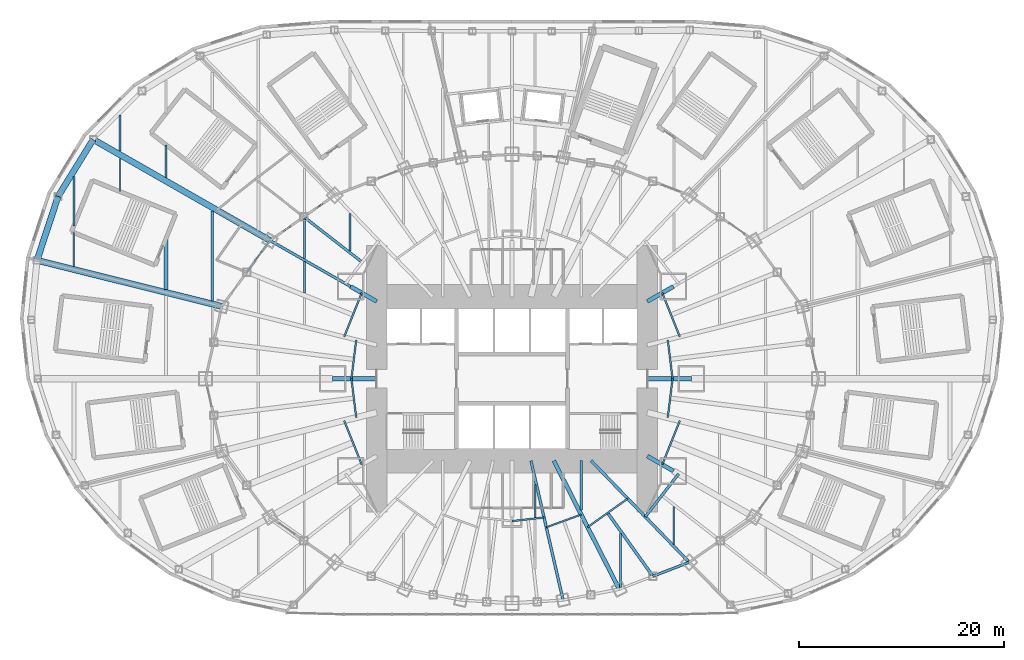
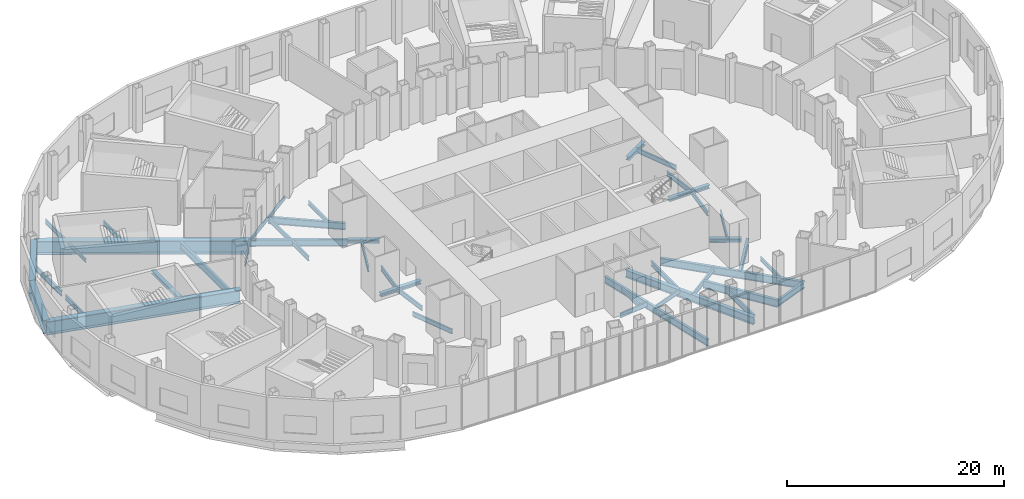
# One storey, part 5 of 73: 45 beams.
"""IFC4 building model written with IfcOpenShell, lengths in metres."""

from ifc_helpers import new_model, si_unit, direction, frame, origin, origin_2d, place, context, subcontext, project, spatial, i_section, extrude, material, material_profile, profile_set, type_object, element, save


model = new_model("IFC4")

# Units and contexts
model_context = context("Model", 3, precision=1e-05, world=origin(), true_north=direction((0.0, 1.0)))
body_context = subcontext(model_context, "Body", "Model", "MODEL_VIEW")
ifc_project = project(units=[si_unit("LENGTHUNIT", "METRE"), si_unit("AREAUNIT", "SQUARE_METRE"), si_unit("VOLUMEUNIT", "CUBIC_METRE"), si_unit("PLANEANGLEUNIT", "RADIAN"), si_unit("MASSUNIT", "GRAM", prefix="KILO")], contexts=[model_context])

# Site, building, storey
site_placement = place(None, origin())
site = spatial("IfcSite", under=ifc_project, at=site_placement, CompositionType="ELEMENT")
building_placement = place(site_placement, origin())
building = spatial("IfcBuilding", under=site, at=building_placement, Name="Lantaw Convention Tower", CompositionType="ELEMENT")
storey_placement = place(building_placement, frame((0.0, 0.0, 22.0)))
storey = spatial("IfcBuildingStorey", under=building, at=storey_placement, Name="L03", CompositionType="ELEMENT", Elevation=22.0)

# Beams
ifc_material_1 = material(Name="Steel ASTM A572 Grade 50", Category="steel")
ifc_material_profile_1 = material_profile(ifc_material_1, i_section(OverallWidth=0.60009765625, OverallDepth=1.5, WebThickness=0.02490234375, FlangeThickness=0.06005859375, at=origin_2d()), Name="PG1500X600X25X60")
ifc_profile_set_1 = profile_set([ifc_material_profile_1], Name="Steel ASTM A572 Grade 50")
beam_type_1 = type_object("IfcBeamType", Name="Beam E PG1500X600X25X60", PredefinedType="SPANDREL", material=ifc_profile_set_1)
beam_1_placement = place(storey_placement, frame((-40.864013671875, 23.350830078125, -0.949951171875), z_axis=(-0.524178644867, -0.851608330317, 0.0), x_axis=(0.851608330317, -0.524178644867, 0.0)))
element("IfcBeam", 1, at=beam_1_placement, inside=storey, type_object=beam_type_1, Name="Podium edge beam R10", PredefinedType="SPANDREL", context=body_context, shape_type="SweptSolid", body=[
    extrude(i_section(OverallWidth=0.60009765625, OverallDepth=1.5, WebThickness=0.02490234375, FlangeThickness=0.06005859375, at=origin_2d()), origin(), (0.0, 0.0, 1.0), 6.54052734375),
])
beam_2_placement = place(storey_placement, frame((-44.29248046875, 17.78076171875, -0.949951171875), z_axis=(-0.312739573604, -0.949838912186, 0.0), x_axis=(0.949838912186, -0.312739573604, 0.0)))
element("IfcBeam", 2, at=beam_2_placement, inside=storey, type_object=beam_type_1, Name="Podium edge beam B10", PredefinedType="SPANDREL", context=body_context, shape_type="SweptSolid", body=[
    extrude(i_section(OverallWidth=0.60009765625, OverallDepth=1.5, WebThickness=0.02490234375, FlangeThickness=0.06005859375, at=origin_2d()), origin(), (0.0, 0.0, 1.0), 6.55517578125),
])
ifc_material_2 = material(Name="Steel ASTM A992", Category="steel")
ifc_material_profile_2 = material_profile(ifc_material_2, i_section(OverallWidth=0.140380859375, OverallDepth=0.40380859375, WebThickness=0.007080078125, FlangeThickness=0.01123046875, FilletRadius=0.01025390625, at=origin_2d()), Name="W16X31")
ifc_profile_set_2 = profile_set([ifc_material_profile_2], Name="Steel ASTM A992")
beam_type_2 = type_object("IfcBeamType", Name="Beam E W16X31", PredefinedType="SPANDREL", material=ifc_profile_set_2)
beam_3_placement = place(storey_placement, frame((-17.290771484375, 17.9052734375, -0.40185546875), z_axis=(-0.819409395821, -0.573208724672, 0.0), x_axis=(0.573208724672, -0.819409395821, 0.0)))
element("IfcBeam", 3, at=beam_3_placement, inside=storey, type_object=beam_type_2, Name="Edge beam 10", PredefinedType="SPANDREL", context=body_context, shape_type="SweptSolid", body=[
    extrude(i_section(OverallWidth=0.140380859375, OverallDepth=0.40380859375, WebThickness=0.007080078125, FlangeThickness=0.01123046875, FilletRadius=0.01025390625, at=origin_2d()), origin(), (0.0, 0.0, 1.0), 3.682861328125),
])
beam_4_placement = place(storey_placement, frame((-20.30859375, 15.794189453125, -0.40185546875), z_axis=(-0.819442856133, -0.573160889744, 0.0), x_axis=(0.573160889744, -0.819442856133, 0.0)))
element("IfcBeam", 4, at=beam_4_placement, inside=storey, type_object=beam_type_2, Name="Edge beam 10", PredefinedType="SPANDREL", context=body_context, shape_type="SweptSolid", body=[
    extrude(i_section(OverallWidth=0.140380859375, OverallDepth=0.40380859375, WebThickness=0.007080078125, FlangeThickness=0.01123046875, FilletRadius=0.01025390625, at=origin_2d()), origin(), (0.0, 0.0, 1.0), 4.022705078125),
])
beam_5_placement = place(storey_placement, frame((-23.60498046875, 13.488525390625, -0.40185546875), z_axis=(-0.591286566758, -0.806461527893, 0.0), x_axis=(0.806461527893, -0.591286566758, 0.0)))
element("IfcBeam", 5, at=beam_5_placement, inside=storey, type_object=beam_type_2, Name="Edge beam 11", PredefinedType="SPANDREL", context=body_context, shape_type="SweptSolid", body=[
    extrude(i_section(OverallWidth=0.140380859375, OverallDepth=0.40380859375, WebThickness=0.007080078125, FlangeThickness=0.01123046875, FilletRadius=0.01025390625, at=origin_2d()), origin(), (0.0, 0.0, 1.0), 3.843994140625),
])
ifc_material_profile_3 = material_profile(ifc_material_2, i_section(OverallWidth=0.256591796875, OverallDepth=0.693359375, WebThickness=0.014404296875, FlangeThickness=0.023681640625, FilletRadius=0.01513671875, at=origin_2d()), Name="W27X114")
ifc_profile_set_3 = profile_set([ifc_material_profile_3], Name="Steel ASTM A992")
beam_type_3 = type_object("IfcBeamType", Name="Beam E W27X114", PredefinedType="SPANDREL", material=ifc_profile_set_3)
beam_6_placement = place(storey_placement, frame((13.745361328125, -19.270263671875, -0.546630859375), z_axis=(0.933224646415, 0.359293416754, 0.0), x_axis=(-0.359293416754, 0.933224646415, 0.0)))
element("IfcBeam", 6, at=beam_6_placement, inside=storey, type_object=beam_type_3, Name="Edge beam 21", PredefinedType="SPANDREL", context=body_context, shape_type="SweptSolid", body=[
    extrude(i_section(OverallWidth=0.256591796875, OverallDepth=0.693359375, WebThickness=0.014404296875, FlangeThickness=0.023681640625, FilletRadius=0.01513671875, at=origin_2d()), origin(), (0.0, 0.0, 1.0), 3.799072265625),
])
ifc_material_profile_4 = material_profile(ifc_material_2, i_section(OverallWidth=0.2666015625, OverallDepth=0.76953125, WebThickness=0.015625, FlangeThickness=0.025390625, FilletRadius=0.0126953125, at=origin_2d()), Name="W30X132")
ifc_profile_set_4 = profile_set([ifc_material_profile_4], Name="Steel ASTM A992")
beam_type_4 = type_object("IfcBeamType", Name="Beam G W30X132", PredefinedType="BEAM", material=ifc_profile_set_4)
beam_7_placement = place(storey_placement, frame((-14.628173828125, 11.37646484375, -0.584716796875), z_axis=(-0.789377792374, 0.613907729961, 0.0), x_axis=(-0.613907729961, -0.789377792374, 0.0)))
element("IfcBeam", 7, at=beam_7_placement, inside=storey, type_object=beam_type_4, Name="Floor girder on bisector 10", PredefinedType="BEAM", context=body_context, shape_type="SweptSolid", body=[
    extrude(i_section(OverallWidth=0.2666015625, OverallDepth=0.76953125, WebThickness=0.015625, FlangeThickness=0.025390625, FilletRadius=0.0126953125, at=origin_2d()), origin(), (0.0, 0.0, 1.0), 7.196044921875),
])
beam_8_placement = place(storey_placement, frame((-15.75, 9.0, -0.584716796875), z_axis=(-0.868244802791, 0.496136032179, 0.0), x_axis=(-0.496136032179, -0.868244802791, 0.0)))
element("IfcBeam", 8, at=beam_8_placement, inside=storey, type_object=beam_type_4, Name="Floor girder on ray 11", PredefinedType="BEAM", context=body_context, shape_type="SweptSolid", body=[
    extrude(i_section(OverallWidth=0.2666015625, OverallDepth=0.76953125, WebThickness=0.015625, FlangeThickness=0.025390625, FilletRadius=0.0126953125, at=origin_2d()), origin(), (0.0, 0.0, 1.0), 9.046875),
])
beam_9_placement = place(storey_placement, frame((1.846923828125, -8.0, -0.584716796875), z_axis=(0.224952773175, -0.97436966796, 0.0), x_axis=(0.97436966796, 0.224952773175, 0.0)))
element("IfcBeam", 9, at=beam_9_placement, inside=storey, type_object=beam_type_4, Name="Floor girder on ray 20", PredefinedType="BEAM", context=body_context, shape_type="SweptSolid", body=[
    extrude(i_section(OverallWidth=0.2666015625, OverallDepth=0.76953125, WebThickness=0.015625, FlangeThickness=0.025390625, FilletRadius=0.0126953125, at=origin_2d()), origin(), (0.0, 0.0, 1.0), 13.955810546875),
])
ifc_material_profile_5 = material_profile(ifc_material_2, i_section(OverallWidth=0.2919921875, OverallDepth=0.845703125, WebThickness=0.015380859375, FlangeThickness=0.0244140625, FilletRadius=0.01513671875, at=origin_2d()), Name="W33X141")
ifc_profile_set_5 = profile_set([ifc_material_profile_5], Name="Steel ASTM A992")
beam_type_5 = type_object("IfcBeamType", Name="Beam G W33X141", PredefinedType="BEAM", material=ifc_profile_set_5)
beam_10_placement = place(storey_placement, frame((9.335693359375, -13.088134765625, -0.622802734375), z_axis=(0.580702805158, -0.814115625745, 0.0), x_axis=(0.814115625745, 0.580702805158, 0.0)))
element("IfcBeam", 10, at=beam_10_placement, inside=storey, type_object=beam_type_5, Name="Floor girder on bisector 21", PredefinedType="BEAM", context=body_context, shape_type="SweptSolid", body=[
    extrude(i_section(OverallWidth=0.2919921875, OverallDepth=0.845703125, WebThickness=0.015380859375, FlangeThickness=0.0244140625, FilletRadius=0.01513671875, at=origin_2d()), origin(), (0.0, 0.0, 1.0), 7.59375),
])
beam_11_placement = place(storey_placement, frame((7.7255859375, -8.0, -0.622802734375), z_axis=(0.694649884291, -0.719347995239, 0.0), x_axis=(0.719347995239, 0.694649884291, 0.0)))
element("IfcBeam", 11, at=beam_11_placement, inside=storey, type_object=beam_type_5, Name="Floor girder on ray 22", PredefinedType="BEAM", context=body_context, shape_type="SweptSolid", body=[
    extrude(i_section(OverallWidth=0.2919921875, OverallDepth=0.845703125, WebThickness=0.015380859375, FlangeThickness=0.0244140625, FilletRadius=0.01513671875, at=origin_2d()), origin(), (0.0, 0.0, 1.0), 13.769775390625),
])
ifc_material_profile_6 = material_profile(ifc_material_2, i_section(OverallWidth=0.398681640625, OverallDepth=0.85595703125, WebThickness=0.01806640625, FlangeThickness=0.029296875, FilletRadius=0.016357421875, at=origin_2d()), Name="W33X201")
ifc_profile_set_6 = profile_set([ifc_material_profile_6], Name="Steel ASTM A992")
beam_type_6 = type_object("IfcBeamType", Name="Beam G W33X201", PredefinedType="BEAM", material=ifc_profile_set_6)
beam_12_placement = place(storey_placement, frame((4.076171875, -8.0, -0.6279296875), z_axis=(0.453997016122, -0.891003203896, 0.0), x_axis=(0.891003203896, 0.453997016122, 0.0)))
element("IfcBeam", 12, at=beam_12_placement, inside=storey, type_object=beam_type_6, Name="Floor girder on ray 21", PredefinedType="BEAM", context=body_context, shape_type="SweptSolid", body=[
    extrude(i_section(OverallWidth=0.398681640625, OverallDepth=0.85595703125, WebThickness=0.01806640625, FlangeThickness=0.029296875, FilletRadius=0.016357421875, at=origin_2d()), origin(), (0.0, 0.0, 1.0), 14.067138671875),
])
ifc_material_profile_7 = material_profile(ifc_material_2, i_section(OverallWidth=0.40380859375, OverallDepth=0.406494140625, WebThickness=0.027099609375, FlangeThickness=0.043701171875, FilletRadius=0.01513671875, at=origin_2d()), Name="W14X233")
ifc_profile_set_7 = profile_set([ifc_material_profile_7], Name="Steel ASTM A992")
beam_type_7 = type_object("IfcBeamType", Name="Beam GM W14X233", PredefinedType="BEAM", material=ifc_profile_set_7)
beam_13_placement = place(storey_placement, frame((13.199951171875, 0.0, -0.4033203125), z_axis=(1.0, 0.0, 0.0), x_axis=(0.0, 1.0, 0.0)))
element("IfcBeam", 13, at=beam_13_placement, inside=storey, type_object=beam_type_7, Name="Core link beam on ray 1", PredefinedType="BEAM", context=body_context, shape_type="SweptSolid", body=[
    extrude(i_section(OverallWidth=0.40380859375, OverallDepth=0.406494140625, WebThickness=0.027099609375, FlangeThickness=0.043701171875, FilletRadius=0.01513671875, at=origin_2d()), origin(), (0.0, 0.0, 1.0), 4.300048828125),
])
for number, where, z_axis, x_axis, name in (
    (14, (13.199951171875, 7.54296875, -0.4033203125), (0.868263603466, 0.496103129295, 0.0), (-0.496103129295, 0.868263603466, 0.0), "Core link beam on ray 3"),
    (15, (-13.199951171875, 7.54296875, -0.4033203125), (-0.868263603466, 0.496103129295, 0.0), (-0.496103129295, -0.868263603466, 0.0), "Core link beam on ray 11"),
):
    element("IfcBeam", number, at=place(storey_placement, frame(where, z_axis=z_axis, x_axis=x_axis)), inside=storey, type_object=beam_type_7, Name=name, PredefinedType="BEAM", context=body_context, shape_type="SweptSolid", body=[
        extrude(i_section(OverallWidth=0.40380859375, OverallDepth=0.406494140625, WebThickness=0.027099609375, FlangeThickness=0.043701171875, FilletRadius=0.01513671875, at=origin_2d()), origin(), (0.0, 0.0, 1.0), 2.93701171875),
    ])
beam_14_placement = place(storey_placement, frame((-13.199951171875, 0.0, -0.4033203125), z_axis=(-1.0, 0.0, 0.0), x_axis=(0.0, -1.0, 0.0)))
element("IfcBeam", 16, at=beam_14_placement, inside=storey, type_object=beam_type_7, Name="Core link beam on ray 13", PredefinedType="BEAM", context=body_context, shape_type="SweptSolid", body=[
    extrude(i_section(OverallWidth=0.40380859375, OverallDepth=0.406494140625, WebThickness=0.027099609375, FlangeThickness=0.043701171875, FilletRadius=0.01513671875, at=origin_2d()), origin(), (0.0, 0.0, 1.0), 4.300048828125),
])
beam_15_placement = place(storey_placement, frame((13.199951171875, -7.54296875, -0.4033203125), z_axis=(0.868263603466, -0.496103129295, 0.0), x_axis=(0.496103129295, 0.868263603466, 0.0)))
element("IfcBeam", 17, at=beam_15_placement, inside=storey, type_object=beam_type_7, Name="Core link beam on ray 23", PredefinedType="BEAM", context=body_context, shape_type="SweptSolid", body=[
    extrude(i_section(OverallWidth=0.40380859375, OverallDepth=0.406494140625, WebThickness=0.027099609375, FlangeThickness=0.043701171875, FilletRadius=0.01513671875, at=origin_2d()), origin(), (0.0, 0.0, 1.0), 2.93701171875),
])
ifc_material_profile_8 = material_profile(ifc_material_2, i_section(OverallWidth=0.15234375, OverallDepth=0.449462890625, WebThickness=0.007568359375, FlangeThickness=0.0107421875, FilletRadius=0.01025390625, at=origin_2d()), Name="W18X35")
ifc_profile_set_8 = profile_set([ifc_material_profile_8], Name="Steel ASTM A992")
beam_type_8 = type_object("IfcBeamType", Name="Beam HC W18X35", PredefinedType="BEAM", material=ifc_profile_set_8)
beam_16_placement = place(storey_placement, frame((3.345947265625, -14.4931640625, -0.4248046875), z_axis=(0.939689171859, 0.342029619025, 0.0), x_axis=(-0.342029619025, 0.939689171859, 0.0)))
element("IfcBeam", 18, at=beam_16_placement, inside=storey, type_object=beam_type_8, Name="Collar beam on bisector 20", PredefinedType="BEAM", context=body_context, shape_type="SweptSolid", body=[
    extrude(i_section(OverallWidth=0.15234375, OverallDepth=0.449462890625, WebThickness=0.007568359375, FlangeThickness=0.0107421875, FilletRadius=0.01025390625, at=origin_2d()), origin(), (0.0, 0.0, 1.0), 3.62548828125),
])
ifc_material_profile_9 = material_profile(ifc_material_2, i_section(OverallWidth=0.1650390625, OverallDepth=0.52587890625, WebThickness=0.0087890625, FlangeThickness=0.011474609375, FilletRadius=0.0126953125, at=origin_2d()), Name="W21X44")
ifc_profile_set_9 = profile_set([ifc_material_profile_9], Name="Steel ASTM A992")
beam_type_9 = type_object("IfcBeamType", Name="Beam HC W21X44", PredefinedType="BEAM", material=ifc_profile_set_9)
beam_17_placement = place(storey_placement, frame((15.666015625, 0.0, -0.462890625), z_axis=(-0.121925556924, 0.992539247873, 0.0), x_axis=(-0.992539247873, -0.121925556924, 0.0)))
element("IfcBeam", 19, at=beam_17_placement, inside=storey, type_object=beam_type_9, Name="Collar beam on bisector 1", PredefinedType="BEAM", context=body_context, shape_type="SweptSolid", body=[
    extrude(i_section(OverallWidth=0.1650390625, OverallDepth=0.52587890625, WebThickness=0.0087890625, FlangeThickness=0.011474609375, FilletRadius=0.0126953125, at=origin_2d()), origin(), (0.0, 0.0, 1.0), 3.818603515625),
])
for number, where, z_axis, x_axis, name in (
    (20, (16.381591796875, 4.08447265625, -0.462890625), (-0.372591792929, 0.927995342576, 0.0), (-0.927995342576, -0.372591792929, 0.0), "Collar beam on bisector 2"),
    (21, (-14.658447265625, 8.376220703125, -0.462890625), (-0.372591792929, -0.927995342576, 0.0), (0.927995342576, -0.372591792929, 0.0), "Collar beam on bisector 11"),
):
    element("IfcBeam", number, at=place(storey_placement, frame(where, z_axis=z_axis, x_axis=x_axis)), inside=storey, type_object=beam_type_9, Name=name, PredefinedType="BEAM", context=body_context, shape_type="SweptSolid", body=[
        extrude(i_section(OverallWidth=0.1650390625, OverallDepth=0.52587890625, WebThickness=0.0087890625, FlangeThickness=0.011474609375, FilletRadius=0.0126953125, at=origin_2d()), origin(), (0.0, 0.0, 1.0), 4.624755859375),
    ])
for number, where, z_axis, x_axis, name in (
    (22, (-15.200439453125, 3.7900390625, -0.462890625), (-0.121925556924, -0.992539247873, 0.0), (0.992539247873, -0.121925556924, 0.0), "Collar beam on bisector 12"),
    (23, (-15.666015625, 0.0, -0.462890625), (0.121925556924, -0.992539247873, 0.0), (0.992539247873, 0.121925556924, 0.0), "Collar beam on bisector 13"),
):
    element("IfcBeam", number, at=place(storey_placement, frame(where, z_axis=z_axis, x_axis=x_axis)), inside=storey, type_object=beam_type_9, Name=name, PredefinedType="BEAM", context=body_context, shape_type="SweptSolid", body=[
        extrude(i_section(OverallWidth=0.1650390625, OverallDepth=0.52587890625, WebThickness=0.0087890625, FlangeThickness=0.011474609375, FilletRadius=0.0126953125, at=origin_2d()), origin(), (0.0, 0.0, 1.0), 3.818603515625),
    ])
beam_18_placement = place(storey_placement, frame((-16.381591796875, -4.08447265625, -0.462890625), z_axis=(0.372591792929, -0.927995342576, 0.0), x_axis=(0.927995342576, 0.372591792929, 0.0)))
element("IfcBeam", 24, at=beam_18_placement, inside=storey, type_object=beam_type_9, Name="Collar beam on bisector 14", PredefinedType="BEAM", context=body_context, shape_type="SweptSolid", body=[
    extrude(i_section(OverallWidth=0.1650390625, OverallDepth=0.52587890625, WebThickness=0.0087890625, FlangeThickness=0.011474609375, FilletRadius=0.0126953125, at=origin_2d()), origin(), (0.0, 0.0, 1.0), 4.624755859375),
])
beam_19_placement = place(storey_placement, frame((7.379638671875, -14.4833984375, -0.462890625), z_axis=(0.814110909588, 0.580709416912, 0.0), x_axis=(-0.580709416912, 0.814110909588, 0.0)))
element("IfcBeam", 25, at=beam_19_placement, inside=storey, type_object=beam_type_9, Name="Collar beam on bisector 21", PredefinedType="BEAM", context=body_context, shape_type="SweptSolid", body=[
    extrude(i_section(OverallWidth=0.1650390625, OverallDepth=0.52587890625, WebThickness=0.0087890625, FlangeThickness=0.011474609375, FilletRadius=0.0126953125, at=origin_2d()), origin(), (0.0, 0.0, 1.0), 4.805419921875),
])
beam_20_placement = place(storey_placement, frame((14.658447265625, -8.376220703125, -0.462890625), z_axis=(0.372591792929, 0.927995342576, 0.0), x_axis=(-0.927995342576, 0.372591792929, 0.0)))
element("IfcBeam", 26, at=beam_20_placement, inside=storey, type_object=beam_type_9, Name="Collar beam on bisector 23", PredefinedType="BEAM", context=body_context, shape_type="SweptSolid", body=[
    extrude(i_section(OverallWidth=0.1650390625, OverallDepth=0.52587890625, WebThickness=0.0087890625, FlangeThickness=0.011474609375, FilletRadius=0.0126953125, at=origin_2d()), origin(), (0.0, 0.0, 1.0), 4.624755859375),
])
beam_21_placement = place(storey_placement, frame((15.200439453125, -3.7900390625, -0.462890625), z_axis=(0.121925556924, 0.992539247873, 0.0), x_axis=(-0.992539247873, 0.121925556924, 0.0)))
element("IfcBeam", 27, at=beam_21_placement, inside=storey, type_object=beam_type_9, Name="Collar beam on bisector 24", PredefinedType="BEAM", context=body_context, shape_type="SweptSolid", body=[
    extrude(i_section(OverallWidth=0.1650390625, OverallDepth=0.52587890625, WebThickness=0.0087890625, FlangeThickness=0.011474609375, FilletRadius=0.0126953125, at=origin_2d()), origin(), (0.0, 0.0, 1.0), 3.818603515625),
])
ifc_material_profile_10 = material_profile(ifc_material_2, i_section(OverallWidth=0.165771484375, OverallDepth=0.5283203125, WebThickness=0.009765625, FlangeThickness=0.013671875, FilletRadius=0.012939453125, at=origin_2d()), Name="W21X50")
ifc_profile_set_10 = profile_set([ifc_material_profile_10], Name="Steel ASTM A992")
beam_type_10 = type_object("IfcBeamType", Name="Beam HC W21X50", PredefinedType="BEAM", material=ifc_profile_set_10)
beam_22_placement = place(storey_placement, frame((0.0, -13.89111328125, -0.464111328125), z_axis=(0.99356540907, 0.113259780595, 0.0), x_axis=(-0.113259780595, 0.99356540907, 0.0)))
element("IfcBeam", 28, at=beam_22_placement, inside=storey, type_object=beam_type_10, Name="Collar beam on bisector 19", PredefinedType="BEAM", context=body_context, shape_type="SweptSolid", body=[
    extrude(i_section(OverallWidth=0.165771484375, OverallDepth=0.5283203125, WebThickness=0.009765625, FlangeThickness=0.013671875, FilletRadius=0.012939453125, at=origin_2d()), origin(), (0.0, 0.0, 1.0), 3.14501953125),
])
ifc_material_profile_11 = material_profile(ifc_material_2, i_section(OverallWidth=0.2666015625, OverallDepth=0.76953125, WebThickness=0.015625, FlangeThickness=0.025390625, FilletRadius=0.0126953125, at=origin_2d()), Name="W30X132")
ifc_profile_set_11 = profile_set([ifc_material_profile_11], Name="Steel ASTM A992")
beam_type_11 = type_object("IfcBeamType", Name="Beam HC W30X132", PredefinedType="BEAM", material=ifc_profile_set_11)
beam_23_placement = place(storey_placement, frame((13.003662109375, -13.465576171875, -0.584716796875), z_axis=(0.613886325717, 0.789394438223, 0.0), x_axis=(-0.789394438223, 0.613886325717, 0.0)))
element("IfcBeam", 29, at=beam_23_placement, inside=storey, type_object=beam_type_11, Name="Collar beam on bisector 22", PredefinedType="BEAM", context=body_context, shape_type="SweptSolid", body=[
    extrude(i_section(OverallWidth=0.2666015625, OverallDepth=0.76953125, WebThickness=0.015625, FlangeThickness=0.025390625, FilletRadius=0.0126953125, at=origin_2d()), origin(), (0.0, 0.0, 1.0), 5.29296875),
])
ifc_material_profile_12 = material_profile(ifc_material_2, i_section(OverallWidth=0.396240234375, OverallDepth=0.381103515625, WebThickness=0.01904296875, FlangeThickness=0.0302734375, FilletRadius=0.01513671875, at=origin_2d()), Name="W14X159")
ifc_profile_set_12 = profile_set([ifc_material_profile_12], Name="Steel ASTM A992")
beam_type_12 = type_object("IfcBeamType", Name="Beam J W14X159", PredefinedType="JOIST", material=ifc_profile_set_12)
beam_24_placement = place(storey_placement, frame((-33.75, 8.72412109375, -0.390380859375), z_axis=(0.0, 1.0, 0.0), x_axis=(-1.0, 0.0, 0.0)))
element("IfcBeam", 30, at=beam_24_placement, inside=storey, type_object=beam_type_12, Name="Floor joist", PredefinedType="JOIST", context=body_context, shape_type="SweptSolid", body=[
    extrude(i_section(OverallWidth=0.396240234375, OverallDepth=0.381103515625, WebThickness=0.01904296875, FlangeThickness=0.0302734375, FilletRadius=0.01513671875, at=origin_2d()), origin(), (0.0, 0.0, 1.0), 4.986328125),
])
ifc_material_profile_13 = material_profile(ifc_material_2, i_section(OverallWidth=0.140380859375, OverallDepth=0.40380859375, WebThickness=0.007080078125, FlangeThickness=0.01123046875, FilletRadius=0.01025390625, at=origin_2d()), Name="W16X31")
ifc_profile_set_13 = profile_set([ifc_material_profile_13], Name="Steel ASTM A992")
beam_type_13 = type_object("IfcBeamType", Name="Beam J W16X31", PredefinedType="JOIST", material=ifc_profile_set_13)
beam_25_placement = place(storey_placement, frame((-38.25, 18.264404296875, -0.40185546875), z_axis=(0.0, 1.0, 0.0), x_axis=(-1.0, 0.0, 0.0)))
element("IfcBeam", 31, at=beam_25_placement, inside=storey, type_object=beam_type_13, Name="Floor joist", PredefinedType="JOIST", context=body_context, shape_type="SweptSolid", body=[
    extrude(i_section(OverallWidth=0.140380859375, OverallDepth=0.40380859375, WebThickness=0.007080078125, FlangeThickness=0.01123046875, FilletRadius=0.01025390625, at=origin_2d()), origin(), (0.0, 0.0, 1.0), 3.247314453125),
])
beam_26_placement = place(storey_placement, frame((2.25, -13.55126953125, -0.40185546875), z_axis=(0.0, 1.0, 0.0), x_axis=(-1.0, 0.0, 0.0)))
element("IfcBeam", 32, at=beam_26_placement, inside=storey, type_object=beam_type_13, Name="Floor joist", PredefinedType="JOIST", context=body_context, shape_type="SweptSolid", body=[
    extrude(i_section(OverallWidth=0.140380859375, OverallDepth=0.40380859375, WebThickness=0.007080078125, FlangeThickness=0.01123046875, FilletRadius=0.01025390625, at=origin_2d()), origin(), (0.0, 0.0, 1.0), 3.212646484375),
])
ifc_material_profile_14 = material_profile(ifc_material_2, i_section(OverallWidth=0.15234375, OverallDepth=0.449462890625, WebThickness=0.007568359375, FlangeThickness=0.0107421875, FilletRadius=0.01025390625, at=origin_2d()), Name="W18X35")
ifc_profile_set_14 = profile_set([ifc_material_profile_14], Name="Steel ASTM A992")
beam_type_14 = type_object("IfcBeamType", Name="Beam J W18X35", PredefinedType="JOIST", material=ifc_profile_set_14)
beam_27_placement = place(storey_placement, frame((15.800048828125, -16.151123046875, -0.4248046875), z_axis=(0.0, 1.0, 0.0), x_axis=(-1.0, 0.0, 0.0)))
element("IfcBeam", 33, at=beam_27_placement, inside=storey, type_object=beam_type_14, Name="Floor joist", PredefinedType="JOIST", context=body_context, shape_type="SweptSolid", body=[
    extrude(i_section(OverallWidth=0.15234375, OverallDepth=0.449462890625, WebThickness=0.007568359375, FlangeThickness=0.0107421875, FilletRadius=0.01025390625, at=origin_2d()), origin(), (0.0, 0.0, 1.0), 3.6943359375),
])
ifc_material_profile_15 = material_profile(ifc_material_2, i_section(OverallWidth=0.1904296875, OverallDepth=0.457275390625, WebThickness=0.009033203125, FlangeThickness=0.014404296875, FilletRadius=0.01025390625, at=origin_2d()), Name="W18X50")
ifc_profile_set_15 = profile_set([ifc_material_profile_15], Name="Steel ASTM A992")
beam_type_15 = type_object("IfcBeamType", Name="Beam J W18X50", PredefinedType="JOIST", material=ifc_profile_set_15)
beam_28_placement = place(storey_placement, frame((-15.800048828125, 12.456787109375, -0.4287109375), z_axis=(0.0, 1.0, 0.0), x_axis=(-1.0, 0.0, 0.0)))
element("IfcBeam", 34, at=beam_28_placement, inside=storey, type_object=beam_type_15, Name="Floor joist", PredefinedType="JOIST", context=body_context, shape_type="SweptSolid", body=[
    extrude(i_section(OverallWidth=0.1904296875, OverallDepth=0.457275390625, WebThickness=0.009033203125, FlangeThickness=0.014404296875, FilletRadius=0.01025390625, at=origin_2d()), origin(), (0.0, 0.0, 1.0), 3.683349609375),
])
ifc_material_profile_16 = material_profile(ifc_material_2, i_section(OverallWidth=0.1650390625, OverallDepth=0.52587890625, WebThickness=0.0087890625, FlangeThickness=0.011474609375, FilletRadius=0.0126953125, at=origin_2d()), Name="W21X44")
ifc_profile_set_16 = profile_set([ifc_material_profile_16], Name="Steel ASTM A992")
beam_type_16 = type_object("IfcBeamType", Name="Beam J W21X44", PredefinedType="JOIST", material=ifc_profile_set_16)
beam_29_placement = place(storey_placement, frame((-42.75, 10.968017578125, -0.462890625), z_axis=(0.0, 1.0, 0.0), x_axis=(-1.0, 0.0, 0.0)))
element("IfcBeam", 35, at=beam_29_placement, inside=storey, type_object=beam_type_16, Name="Floor joist", PredefinedType="JOIST", context=body_context, shape_type="SweptSolid", body=[
    extrude(i_section(OverallWidth=0.1650390625, OverallDepth=0.52587890625, WebThickness=0.0087890625, FlangeThickness=0.011474609375, FilletRadius=0.0126953125, at=origin_2d()), origin(), (0.0, 0.0, 1.0), 3.2841796875),
])
beam_30_placement = place(storey_placement, frame((-38.25, 22.20263671875, -0.462890625), z_axis=(0.0, 1.0, 0.0), x_axis=(-1.0, 0.0, 0.0)))
element("IfcBeam", 36, at=beam_30_placement, inside=storey, type_object=beam_type_16, Name="Floor joist", PredefinedType="JOIST", context=body_context, shape_type="SweptSolid", body=[
    extrude(i_section(OverallWidth=0.1650390625, OverallDepth=0.52587890625, WebThickness=0.0087890625, FlangeThickness=0.011474609375, FilletRadius=0.0126953125, at=origin_2d()), origin(), (0.0, 0.0, 1.0), 3.518798828125),
])
beam_31_placement = place(storey_placement, frame((-33.75, 19.63134765625, -0.462890625), z_axis=(0.0, 1.0, 0.0), x_axis=(-1.0, 0.0, 0.0)))
element("IfcBeam", 37, at=beam_31_placement, inside=storey, type_object=beam_type_16, Name="Floor joist", PredefinedType="JOIST", context=body_context, shape_type="SweptSolid", body=[
    extrude(i_section(OverallWidth=0.1650390625, OverallDepth=0.52587890625, WebThickness=0.0087890625, FlangeThickness=0.011474609375, FilletRadius=0.0126953125, at=origin_2d()), origin(), (0.0, 0.0, 1.0), 3.19580078125),
])
beam_32_placement = place(storey_placement, frame((-20.25, 8.3564453125, -0.462890625), z_axis=(0.0, 1.0, 0.0), x_axis=(-1.0, 0.0, 0.0)))
element("IfcBeam", 38, at=beam_32_placement, inside=storey, type_object=beam_type_16, Name="Floor joist", PredefinedType="JOIST", context=body_context, shape_type="SweptSolid", body=[
    extrude(i_section(OverallWidth=0.1650390625, OverallDepth=0.52587890625, WebThickness=0.0087890625, FlangeThickness=0.011474609375, FilletRadius=0.0126953125, at=origin_2d()), origin(), (0.0, 0.0, 1.0), 3.0615234375),
])
ifc_material_profile_17 = material_profile(ifc_material_2, i_section(OverallWidth=0.16650390625, OverallDepth=0.535888671875, WebThickness=0.01025390625, FlangeThickness=0.0166015625, FilletRadius=0.0126953125, at=origin_2d()), Name="W21X57")
ifc_profile_set_17 = profile_set([ifc_material_profile_17], Name="Steel ASTM A992")
beam_type_17 = type_object("IfcBeamType", Name="Beam J W21X57", PredefinedType="JOIST", material=ifc_profile_set_17)
beam_33_placement = place(storey_placement, frame((-20.25, 11.72509765625, -0.468017578125), z_axis=(0.0, 1.0, 0.0), x_axis=(-1.0, 0.0, 0.0)))
element("IfcBeam", 39, at=beam_33_placement, inside=storey, type_object=beam_type_17, Name="Floor joist", PredefinedType="JOIST", context=body_context, shape_type="SweptSolid", body=[
    extrude(i_section(OverallWidth=0.16650390625, OverallDepth=0.535888671875, WebThickness=0.01025390625, FlangeThickness=0.0166015625, FilletRadius=0.0126953125, at=origin_2d()), origin(), (0.0, 0.0, 1.0), 3.8544921875),
])
ifc_material_profile_18 = material_profile(ifc_material_2, i_section(OverallWidth=0.2099609375, OverallDepth=0.535888671875, WebThickness=0.010986328125, FlangeThickness=0.017333984375, FilletRadius=0.012939453125, at=origin_2d()), Name="W21X68")
ifc_profile_set_18 = profile_set([ifc_material_profile_18], Name="Steel ASTM A992")
beam_type_18 = type_object("IfcBeamType", Name="Beam J W21X68", PredefinedType="JOIST", material=ifc_profile_set_18)
beam_34_placement = place(storey_placement, frame((6.75, -12.808349609375, -0.468017578125), z_axis=(0.0, 1.0, 0.0), x_axis=(-1.0, 0.0, 0.0)))
element("IfcBeam", 40, at=beam_34_placement, inside=storey, type_object=beam_type_18, Name="Floor joist", PredefinedType="JOIST", context=body_context, shape_type="SweptSolid", body=[
    extrude(i_section(OverallWidth=0.2099609375, OverallDepth=0.535888671875, WebThickness=0.010986328125, FlangeThickness=0.017333984375, FilletRadius=0.012939453125, at=origin_2d()), origin(), (0.0, 0.0, 1.0), 4.808349609375),
])
ifc_material_profile_19 = material_profile(ifc_material_2, i_section(OverallWidth=0.177978515625, OverallDepth=0.599365234375, WebThickness=0.010009765625, FlangeThickness=0.012939453125, FilletRadius=0.012939453125, at=origin_2d()), Name="W24X55")
ifc_profile_set_19 = profile_set([ifc_material_profile_19], Name="Steel ASTM A992")
beam_type_19 = type_object("IfcBeamType", Name="Beam J W24X55", PredefinedType="JOIST", material=ifc_profile_set_19)
beam_35_placement = place(storey_placement, frame((-42.75, 14.91259765625, -0.499755859375), z_axis=(0.0, 1.0, 0.0), x_axis=(-1.0, 0.0, 0.0)))
element("IfcBeam", 41, at=beam_35_placement, inside=storey, type_object=beam_type_19, Name="Floor joist", PredefinedType="JOIST", context=body_context, shape_type="SweptSolid", body=[
    extrude(i_section(OverallWidth=0.177978515625, OverallDepth=0.599365234375, WebThickness=0.010009765625, FlangeThickness=0.012939453125, FilletRadius=0.012939453125, at=origin_2d()), origin(), (0.0, 0.0, 1.0), 4.8017578125),
])
beam_36_placement = place(storey_placement, frame((10.60009765625, -20.368408203125, -0.499755859375), z_axis=(0.0, 1.0, 0.0), x_axis=(-1.0, 0.0, 0.0)))
element("IfcBeam", 42, at=beam_36_placement, inside=storey, type_object=beam_type_19, Name="Floor joist", PredefinedType="JOIST", context=body_context, shape_type="SweptSolid", body=[
    extrude(i_section(OverallWidth=0.177978515625, OverallDepth=0.599365234375, WebThickness=0.010009765625, FlangeThickness=0.012939453125, FilletRadius=0.012939453125, at=origin_2d()), origin(), (0.0, 0.0, 1.0), 5.25634765625),
])
ifc_material_profile_20 = material_profile(ifc_material_2, i_section(OverallWidth=0.2666015625, OverallDepth=0.7568359375, WebThickness=0.013916015625, FlangeThickness=0.019287109375, FilletRadius=0.0126953125, at=origin_2d()), Name="W30X108")
ifc_profile_set_20 = profile_set([ifc_material_profile_20], Name="Steel ASTM A992")
beam_type_20 = type_object("IfcBeamType", Name="Beam J W30X108", PredefinedType="JOIST", material=ifc_profile_set_20)
beam_37_placement = place(storey_placement, frame((-29.25, 7.60205078125, -0.578369140625), z_axis=(0.0, 1.0, 0.0), x_axis=(-1.0, 0.0, 0.0)))
element("IfcBeam", 43, at=beam_37_placement, inside=storey, type_object=beam_type_20, Name="Floor joist", PredefinedType="JOIST", context=body_context, shape_type="SweptSolid", body=[
    extrude(i_section(OverallWidth=0.2666015625, OverallDepth=0.7568359375, WebThickness=0.013916015625, FlangeThickness=0.019287109375, FilletRadius=0.0126953125, at=origin_2d()), origin(), (0.0, 0.0, 1.0), 8.7666015625),
])
ifc_material_profile_21 = material_profile(ifc_material_1, i_section(OverallWidth=0.60009765625, OverallDepth=1.5, WebThickness=0.02490234375, FlangeThickness=0.06005859375, at=origin_2d()), Name="PG1500X600X25X60")
ifc_profile_set_21 = profile_set([ifc_material_profile_21], Name="Steel ASTM A572 Grade 50")
beam_type_21 = type_object("IfcBeamType", Name="Beam PG PG1500X600X25X60", PredefinedType="BEAM", material=ifc_profile_set_21)
beam_38_placement = place(storey_placement, frame((-23.60498046875, 13.488525390625, -0.949951171875), z_axis=(-0.868243142124, 0.496138938357, 0.0), x_axis=(-0.496138938357, -0.868243142124, 0.0)))
element("IfcBeam", 44, at=beam_38_placement, inside=storey, type_object=beam_type_21, Name="Podium girder PR11", PredefinedType="BEAM", context=body_context, shape_type="SweptSolid", body=[
    extrude(i_section(OverallWidth=0.60009765625, OverallDepth=1.5, WebThickness=0.02490234375, FlangeThickness=0.06005859375, at=origin_2d()), origin(), (0.0, 0.0, 1.0), 19.878173828125),
])
beam_39_placement = place(storey_placement, frame((-28.31787109375, 7.060302734375, -0.949951171875), z_axis=(-0.970294606785, 0.24192638559, 0.0), x_axis=(-0.24192638559, -0.970294606785, 0.0)))
element("IfcBeam", 45, at=beam_39_placement, inside=storey, type_object=beam_type_21, Name="Podium girder PR12", PredefinedType="BEAM", context=body_context, shape_type="SweptSolid", body=[
    extrude(i_section(OverallWidth=0.60009765625, OverallDepth=1.5, WebThickness=0.02490234375, FlangeThickness=0.06005859375, at=origin_2d()), origin(), (0.0, 0.0, 1.0), 18.576416015625),
])

save(model, "model.ifc")
